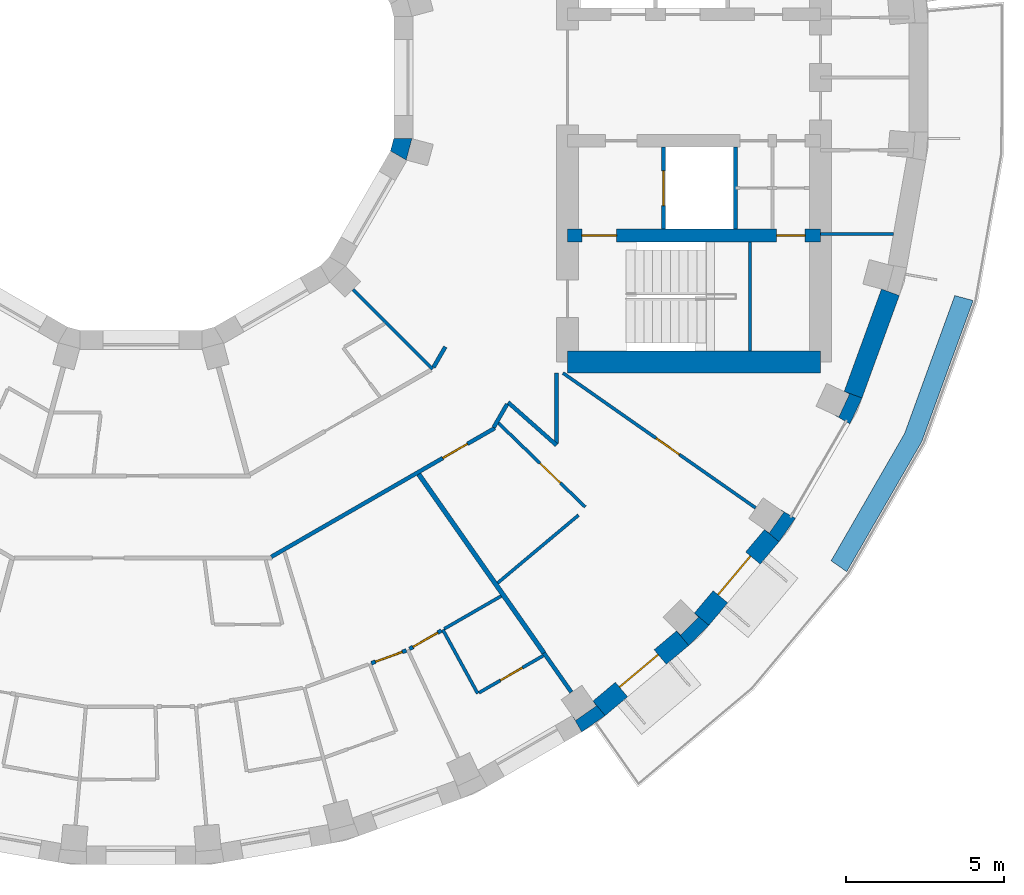
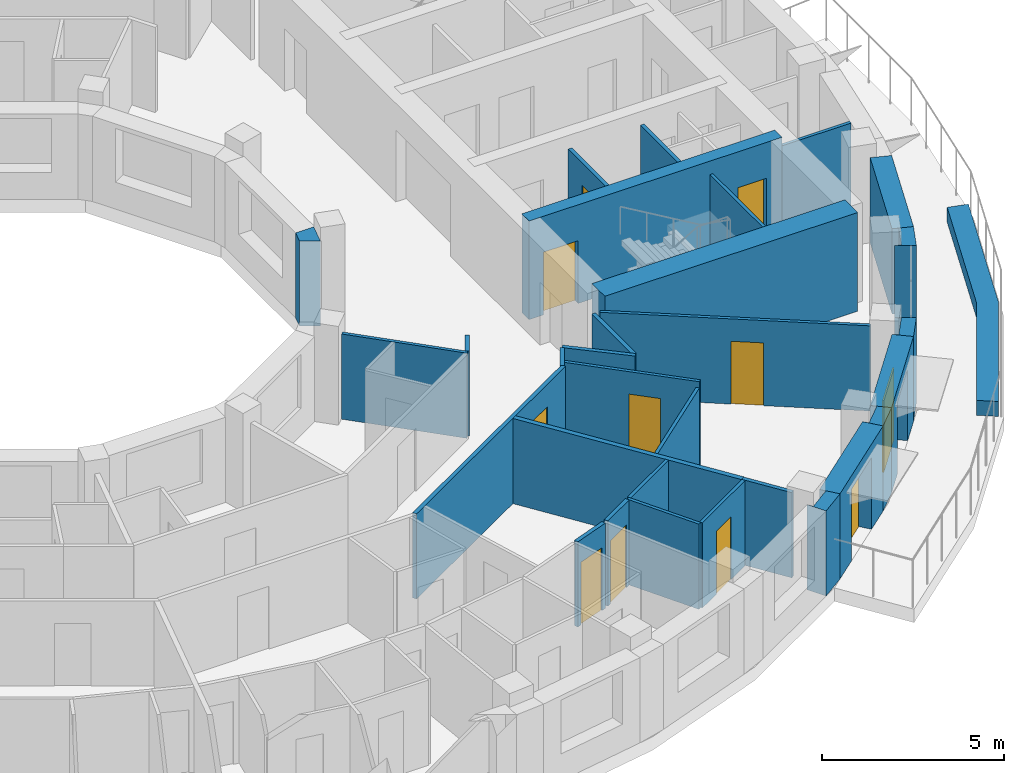
# One storey, part 8 of 14: 31 walls, 11 doors, 11 openings.
"""IFC4 building model written with IfcOpenShell, lengths in metres."""

from ifc_helpers import new_model, si_unit, direction, frame, frame_2d, origin, place, context, subcontext, project, spatial, polyline, rectangle, outline, extrude, material, layer, layer_set, type_object, element, fill, save


model = new_model("IFC4")

# Units and contexts
model_context = context("Model", 3, precision=1e-05, world=origin(), true_north=direction((0.0, 1.0)))
body_context = subcontext(model_context, "Body", "Model", "MODEL_VIEW")
ifc_project = project(units=[si_unit("LENGTHUNIT", "METRE"), si_unit("AREAUNIT", "SQUARE_METRE"), si_unit("VOLUMEUNIT", "CUBIC_METRE"), si_unit("PLANEANGLEUNIT", "RADIAN"), si_unit("MASSUNIT", "GRAM", prefix="KILO")], contexts=[model_context])

# Site, building, storey
site_placement = place(None, origin())
site = spatial("IfcSite", under=ifc_project, at=site_placement, CompositionType="ELEMENT")
building_placement = place(site_placement, origin())
building = spatial("IfcBuilding", under=site, at=building_placement, Name="Saqina Gate Tower", CompositionType="ELEMENT")
storey_placement = place(building_placement, frame((0.0, 0.0, 177.300048828125)))
storey = spatial("IfcBuildingStorey", under=building, at=storey_placement, Name="L50", CompositionType="ELEMENT", Elevation=177.300048828125)

# Walls
ifc_material_1 = material(Name="Brick masonry (buff)", Category="masonry")
wall_type_1 = type_object("IfcWallType", Name="BRICK PIER COPING BUFF", PredefinedType="SOLIDWALL", material=ifc_material_1)
wall_1_placement = place(storey_placement, origin())
element("IfcWall", 1, at=wall_1_placement, inside=storey, type_object=wall_type_1, Name="Pier cap L50 column 31", PredefinedType="SOLIDWALL", context=body_context, shape_type="SweptSolid", body=[
    extrude(outline(polyline([(13.9462890625, -20.705810546875), (14.687255859375, -20.18701171875), (14.301513671875, -19.727294921875), (14.408935546875, -19.880859375), (13.753662109375, -20.339599609375), (13.646240234375, -20.186279296875), (13.9462890625, -20.705810546875)])), origin(), (0.0, 0.0, 1.0), 2.849853515625),
])
wall_2_placement = place(storey_placement, origin())
element("IfcWall", 2, at=wall_2_placement, inside=storey, type_object=wall_type_1, Name="Pier cap L50 column 32", PredefinedType="SOLIDWALL", context=body_context, shape_type="SweptSolid", body=[
    extrude(outline(polyline([(17.969482421875, -17.329833984375), (17.510009765625, -16.944091796875), (17.642333984375, -17.07666015625), (17.07666015625, -17.642333984375), (16.944091796875, -17.510009765625), (17.329833984375, -17.969482421875), (17.969482421875, -17.329833984375)])), origin(), (0.0, 0.0, 1.0), 2.849853515625),
])
wall_3_placement = place(storey_placement, origin())
element("IfcWall", 3, at=wall_3_placement, inside=storey, type_object=wall_type_1, Name="Pier cap L50 column 33", PredefinedType="SOLIDWALL", context=body_context, shape_type="SweptSolid", body=[
    extrude(outline(polyline([(20.18701171875, -14.687255859375), (20.705810546875, -13.9462890625), (20.186279296875, -13.646240234375), (20.339599609375, -13.753662109375), (19.880859375, -14.408935546875), (19.727294921875, -14.301513671875), (20.18701171875, -14.687255859375)])), origin(), (0.0, 0.0, 1.0), 2.849853515625),
])
wall_4_placement = place(storey_placement, origin())
element("IfcWall", 4, at=wall_4_placement, inside=storey, type_object=wall_type_1, Name="Pier cap L50 column 34", PredefinedType="SOLIDWALL", context=body_context, shape_type="SweptSolid", body=[
    extrude(outline(polyline([(22.81298828125, -10.138916015625), (22.249267578125, -9.93359375), (22.4189453125, -10.0126953125), (22.080810546875, -10.73779296875), (21.9111328125, -10.65869140625), (22.4306640625, -10.958740234375), (22.81298828125, -10.138916015625)])), origin(), (0.0, 0.0, 1.0), 2.849853515625),
])
ifc_material_2 = material(Name="Gypsum board on steel studs", Category="steel")
ifc_layer_1 = layer(ifc_material_2, 0.10009765625)
ifc_layer_set_1 = layer_set([ifc_layer_1], Name="CORE PARTITION")
wall_type_2 = type_object("IfcWallType", Name="CORE PARTITION", PredefinedType="PARTITIONING", material=ifc_layer_set_1)
wall_5_placement = place(storey_placement, frame((21.5, -4.949951171875, 0.0), z_axis=(0.0, 0.0, 1.0), x_axis=(1.0, 0.0, 0.0)))
element("IfcWall", 5, at=wall_5_placement, inside=storey, type_object=wall_type_2, Name="L50-CP-E03", PredefinedType="PARTITIONING", context=body_context, shape_type="SweptSolid", body=[
    extrude(rectangle(XDim=2.306884765625, YDim=0.10009765625, at=frame_2d((1.1533203125, 0.0))), origin(), (0.0, 0.0, 1.0), 2.849853515625),
])

# Wall, opening, door
ifc_material_3 = material(Name="Brick masonry (buff)", Category="masonry")
ifc_layer_2 = layer(ifc_material_3, 0.60009765625)
ifc_layer_set_2 = layer_set([ifc_layer_2], Name="FW-BRICK-BUFF")
wall_type_3 = type_object("IfcWallType", Name="FW-BRICK-BUFF", PredefinedType="SOLIDWALL", material=ifc_layer_set_2)
wall_6_placement = place(storey_placement, frame((14.494384765625, -19.95703125, 0.0), z_axis=(0.0, 0.0, 1.0), x_axis=(0.766058884809, 0.642770398358, 0.0)))
wall_6 = element("IfcWall", 6, at=wall_6_placement, inside=storey, type_object=wall_type_3, Name="Facade wall L50 facet 31", PredefinedType="SOLIDWALL", context=body_context, shape_type="SweptSolid", body=[
    extrude(rectangle(XDim=3.449462890625, YDim=0.60009765625, at=frame_2d((1.724609375, 0.0))), origin(), (0.0, 0.0, 1.0), 2.849853515625),
])
opening_1_placement = place(wall_6_placement, frame((0.9248046875, 0.0, 0.0)))
opening_1 = element("IfcOpeningElement", 7, at=opening_1_placement, cuts=wall_6, Name="Opening G14-D80", PredefinedType="OPENING", context=body_context, shape_type="SweptSolid", body=[
    extrude(rectangle(XDim=1.60009765625, YDim=2.39990234375, at=frame_2d((0.800048828125, 1.199951171875))), frame((0.0, 0.31201171875, 0.0), z_axis=(0.0, -1.0, 0.0), x_axis=(1.0, 0.0, 0.0)), (0.0, 0.0, 1.0), 0.6240234375),
])
ifc_material_4 = material(Name="Aluminium glazing", Category="aluminium")
door_type_1 = type_object("IfcDoorType", Name="GD-C", OperationType="DOUBLE_DOOR_SINGLE_SWING", PredefinedType="DOOR", material=ifc_material_4)
door_1_placement = place(opening_1_placement, frame((1.60009765625, 0.0, 0.0), z_axis=(0.0, 0.0, 1.0), x_axis=(-1.0, 0.0, 0.0)))
door_1 = element("IfcDoor", 8, at=door_1_placement, inside=storey, type_object=door_type_1, Name="Terrace door L50 facet 31", OperationType="DOUBLE_DOOR_SINGLE_SWING", OverallHeight=2.39990234375, OverallWidth=1.60009765625, PredefinedType="DOOR", context=body_context, shape_type="SweptSolid", body=[
    extrude(rectangle(XDim=1.60009765625, YDim=2.39990234375, at=frame_2d((0.800048828125, 1.199951171875))), frame((0.0, -0.0751953125, 0.0), z_axis=(0.0, -1.0, 0.0), x_axis=(1.0, 0.0, 0.0)), (0.0, 0.0, 1.0), 0.050048828125),
])
fill(opening_1, door_1)

wall_7_placement = place(storey_placement, frame((17.73974609375, -17.136962890625, 0.0), z_axis=(0.0, 0.0, 1.0), x_axis=(0.642770398358, 0.766058884809, 0.0)))
wall_7 = element("IfcWall", 9, at=wall_7_placement, inside=storey, type_object=wall_type_3, Name="Facade wall L50 facet 32", PredefinedType="SOLIDWALL", context=body_context, shape_type="SweptSolid", body=[
    extrude(rectangle(XDim=3.449462890625, YDim=0.60009765625, at=frame_2d((1.724609375, 0.0))), origin(), (0.0, 0.0, 1.0), 2.849853515625),
])
opening_2_placement = place(wall_7_placement, frame((0.9248046875, 0.0, 0.0)))
opening_2 = element("IfcOpeningElement", 10, at=opening_2_placement, cuts=wall_7, Name="Opening G14-D81", PredefinedType="OPENING", context=body_context, shape_type="SweptSolid", body=[
    extrude(rectangle(XDim=1.60009765625, YDim=2.39990234375, at=frame_2d((0.800048828125, 1.199951171875))), frame((0.0, 0.31201171875, 0.0), z_axis=(0.0, -1.0, 0.0), x_axis=(1.0, 0.0, 0.0)), (0.0, 0.0, 1.0), 0.6240234375),
])
door_2_placement = place(opening_2_placement, frame((1.60009765625, 0.0, 0.0), z_axis=(0.0, 0.0, 1.0), x_axis=(-1.0, 0.0, 0.0)))
door_2 = element("IfcDoor", 11, at=door_2_placement, inside=storey, type_object=door_type_1, Name="Terrace door L50 facet 32", OperationType="DOUBLE_DOOR_SINGLE_SWING", OverallHeight=2.39990234375, OverallWidth=1.60009765625, PredefinedType="DOOR", context=body_context, shape_type="SweptSolid", body=[
    extrude(rectangle(XDim=1.60009765625, YDim=2.39990234375, at=frame_2d((0.800048828125, 1.199951171875))), frame((0.0, -0.0751953125, 0.0), z_axis=(0.0, -1.0, 0.0), x_axis=(1.0, 0.0, 0.0)), (0.0, 0.0, 1.0), 0.050048828125),
])
fill(opening_2, door_2)

# Walls
ifc_material_5 = material(Name="Glazed ceramic tile (white)", Category="ceramic")
ifc_layer_3 = layer(ifc_material_5, 0.60009765625)
ifc_layer_set_3 = layer_set([ifc_layer_3], Name="FW-TILE-WH")
wall_type_4 = type_object("IfcWallType", Name="FW-TILE-WH", PredefinedType="SOLIDWALL", material=ifc_layer_set_3)
wall_8_placement = place(storey_placement, frame((22.531005859375, -10.0361328125, 0.0), z_axis=(0.0, 0.0, 1.0), x_axis=(0.342032843455, 0.93968799822, 0.0)))
element("IfcWall", 12, at=wall_8_placement, inside=storey, type_object=wall_type_4, Name="Facade wall L50 facet 34", PredefinedType="SOLIDWALL", context=body_context, shape_type="SweptSolid", body=[
    extrude(rectangle(XDim=3.44970703125, YDim=0.60009765625, at=frame_2d((1.724853515625, 0.0))), origin(), (0.0, 0.0, 1.0), 2.849853515625),
])
ifc_material_6 = material(Name="Gypsum board on steel studs, 100 mm", Category="steel")
ifc_layer_4 = layer(ifc_material_6, 0.10009765625)
ifc_layer_set_4 = layer_set([ifc_layer_4], Name="PARTITION 100")
wall_type_5 = type_object("IfcWallType", Name="PARTITION 100", PredefinedType="PARTITIONING", material=ifc_layer_set_4)
wall_9_placement = place(storey_placement, frame((9.551025390625, -17.469970703125, 0.0), z_axis=(0.0, 0.0, 1.0), x_axis=(0.479937439817, -0.877302715066, 0.0)))
element("IfcWall", 13, at=wall_9_placement, inside=storey, type_object=wall_type_5, Name="PARTITION PW3-19", PredefinedType="PARTITIONING", context=body_context, shape_type="SweptSolid", body=[
    extrude(rectangle(XDim=2.30029296875, YDim=0.10009765625, at=frame_2d((1.150146484375, 0.0))), origin(), (0.0, 0.0, 1.0), 2.849853515625),
])
wall_10_placement = place(storey_placement, frame((6.7119140625, -6.7119140625, 0.0), z_axis=(0.0, 0.0, 1.0), x_axis=(0.707106781187, -0.707106781187, 0.0)))
element("IfcWall", 14, at=wall_10_placement, inside=storey, type_object=wall_type_5, Name="PARTITION PW3-26", PredefinedType="PARTITIONING", context=body_context, shape_type="SweptSolid", body=[
    extrude(rectangle(XDim=3.552734375, YDim=0.10009765625, at=frame_2d((1.7763671875, 0.0))), origin(), (0.0, 0.0, 1.0), 2.849853515625),
])

# Wall, opening, door
wall_11_placement = place(storey_placement, frame((11.309814453125, -10.931396484375, 0.0), z_axis=(0.0, 0.0, 1.0), x_axis=(0.718976677459, -0.695034198634, 0.0)))
wall_11 = element("IfcWall", 15, at=wall_11_placement, inside=storey, type_object=wall_type_5, Name="PARTITION PW3-27", PredefinedType="PARTITIONING", context=body_context, shape_type="SweptSolid", body=[
    extrude(rectangle(XDim=3.823974609375, YDim=0.10009765625, at=frame_2d((1.912109375, 0.0))), origin(), (0.0, 0.0, 1.0), 2.849853515625),
])
opening_3_placement = place(wall_11_placement, frame((1.83056640625, 0.0, 0.0)))
opening_3 = element("IfcOpeningElement", 16, at=opening_3_placement, cuts=wall_11, Name="Opening G14-D62", PredefinedType="OPENING", context=body_context, shape_type="SweptSolid", body=[
    extrude(rectangle(XDim=0.89990234375, YDim=2.10009765625, at=frame_2d((0.449951171875, 1.050048828125))), frame((0.0, 0.06201171875, 0.0), z_axis=(0.0, -1.0, 0.0), x_axis=(1.0, 0.0, 0.0)), (0.0, 0.0, 1.0), 0.1240234375),
])
ifc_material_7 = material(Name="Timber door leaf, 900 mm", Category="wood")
door_type_2 = type_object("IfcDoorType", Name="DOOR 900 TIMBER", OperationType="SINGLE_SWING_LEFT", PredefinedType="DOOR", material=ifc_material_7)
door_3_placement = place(opening_3_placement, origin())
door_3 = element("IfcDoor", 17, at=door_3_placement, inside=storey, type_object=door_type_2, Name="DOOR G14-D62", OperationType="SINGLE_SWING_LEFT", OverallHeight=2.10009765625, OverallWidth=0.89990234375, PredefinedType="DOOR", context=body_context, shape_type="SweptSolid", body=[
    extrude(rectangle(XDim=0.89990234375, YDim=2.10009765625, at=frame_2d((0.449951171875, 1.050048828125))), frame((0.0, 0.02490234375, 0.0), z_axis=(0.0, -1.0, 0.0), x_axis=(1.0, 0.0, 0.0)), (0.0, 0.0, 1.0), 0.050048828125),
])
fill(opening_3, door_3)

wall_12_placement = place(storey_placement, frame((13.35302734375, -9.35009765625, 0.0), z_axis=(0.0, 0.0, 1.0), x_axis=(0.81917024189, -0.573550446606, 0.0)))
wall_12 = element("IfcWall", 18, at=wall_12_placement, inside=storey, type_object=wall_type_5, Name="PARTITION PW3-33", PredefinedType="PARTITIONING", context=body_context, shape_type="SweptSolid", body=[
    extrude(rectangle(XDim=7.43896484375, YDim=0.10009765625, at=frame_2d((3.719482421875, 0.0))), origin(), (0.0, 0.0, 1.0), 2.849853515625),
])
opening_4_placement = place(wall_12_placement, frame((3.59814453125, 0.0, 0.0)))
opening_4 = element("IfcOpeningElement", 19, at=opening_4_placement, cuts=wall_12, Name="Opening G14-D63", PredefinedType="OPENING", context=body_context, shape_type="SweptSolid", body=[
    extrude(rectangle(XDim=0.89990234375, YDim=2.10009765625, at=frame_2d((0.449951171875, 1.050048828125))), frame((0.0, 0.06201171875, 0.0), z_axis=(0.0, -1.0, 0.0), x_axis=(1.0, 0.0, 0.0)), (0.0, 0.0, 1.0), 0.1240234375),
])
door_4_placement = place(opening_4_placement, frame((0.89990234375, 0.0, 0.0), z_axis=(0.0, 0.0, 1.0), x_axis=(-1.0, 0.0, 0.0)))
door_4 = element("IfcDoor", 20, at=door_4_placement, inside=storey, type_object=door_type_2, Name="DOOR G14-D63", OperationType="SINGLE_SWING_LEFT", OverallHeight=2.10009765625, OverallWidth=0.89990234375, PredefinedType="DOOR", context=body_context, shape_type="SweptSolid", body=[
    extrude(rectangle(XDim=0.89990234375, YDim=2.10009765625, at=frame_2d((0.449951171875, 1.050048828125))), frame((0.0, 0.02490234375, 0.0), z_axis=(0.0, -1.0, 0.0), x_axis=(1.0, 0.0, 0.0)), (0.0, 0.0, 1.0), 0.050048828125),
])
fill(opening_4, door_4)

# Wall
wall_13_placement = place(storey_placement, frame((9.59375, -17.444091796875, 0.0), z_axis=(0.0, 0.0, 1.0), x_axis=(0.866570174263, 0.499055240507, 0.0)))
element("IfcWall", 21, at=wall_13_placement, inside=storey, type_object=wall_type_5, Name="PARTITION PW3-68", PredefinedType="PARTITIONING", context=body_context, shape_type="SweptSolid", body=[
    extrude(rectangle(XDim=2.08056640625, YDim=0.10009765625, at=frame_2d((1.040283203125, 0.0))), origin(), (0.0, 0.0, 1.0), 2.849853515625),
])

# Wall, opening, door
wall_14_placement = place(storey_placement, frame((10.6982421875, -19.462890625, 0.0), z_axis=(0.0, 0.0, 1.0), x_axis=(0.866206369469, 0.499686427163, 0.0)))
wall_14 = element("IfcWall", 22, at=wall_14_placement, inside=storey, type_object=wall_type_5, Name="PARTITION PW3-69", PredefinedType="PARTITIONING", context=body_context, shape_type="SweptSolid", body=[
    extrude(rectangle(XDim=2.3466796875, YDim=0.10009765625, at=frame_2d((1.17333984375, 0.0))), origin(), (0.0, 0.0, 1.0), 2.849853515625),
])
opening_5_placement = place(wall_14_placement, frame((0.779541015625, 0.0, 0.0)))
opening_5 = element("IfcOpeningElement", 23, at=opening_5_placement, cuts=wall_14, Name="Opening G14-D59", PredefinedType="OPENING", context=body_context, shape_type="SweptSolid", body=[
    extrude(rectangle(XDim=0.800048828125, YDim=2.10009765625, at=frame_2d((0.39990234375, 1.050048828125))), frame((0.0, 0.06201171875, 0.0), z_axis=(0.0, -1.0, 0.0), x_axis=(1.0, 0.0, 0.0)), (0.0, 0.0, 1.0), 0.1240234375),
])
ifc_material_8 = material(Name="Timber door leaf, 800 mm", Category="wood")
door_type_3 = type_object("IfcDoorType", Name="DOOR 800 TIMBER", OperationType="SINGLE_SWING_LEFT", PredefinedType="DOOR", material=ifc_material_8)
door_5_placement = place(opening_5_placement, frame((0.800048828125, 0.0, 0.0), z_axis=(0.0, 0.0, 1.0), x_axis=(-1.0, 0.0, 0.0)))
door_5 = element("IfcDoor", 24, at=door_5_placement, inside=storey, type_object=door_type_3, Name="DOOR G14-D59", OperationType="SINGLE_SWING_LEFT", OverallHeight=2.10009765625, OverallWidth=0.800048828125, PredefinedType="DOOR", context=body_context, shape_type="SweptSolid", body=[
    extrude(rectangle(XDim=0.800048828125, YDim=2.10009765625, at=frame_2d((0.39990234375, 1.050048828125))), frame((0.0, 0.02490234375, 0.0), z_axis=(0.0, -1.0, 0.0), x_axis=(1.0, 0.0, 0.0)), (0.0, 0.0, 1.0), 0.050048828125),
])
fill(opening_5, door_5)

# Walls
wall_15_placement = place(storey_placement, frame((11.287841796875, -15.990234375, 0.0), z_axis=(0.0, 0.0, 1.0), x_axis=(0.766106730911, 0.642713370681, 0.0)))
element("IfcWall", 25, at=wall_15_placement, inside=storey, type_object=wall_type_5, Name="PARTITION PW3-76", PredefinedType="PARTITIONING", context=body_context, shape_type="SweptSolid", body=[
    extrude(rectangle(XDim=3.337890625, YDim=0.10009765625, at=frame_2d((1.6689453125, 0.0))), origin(), (0.0, 0.0, 1.0), 2.849853515625),
])
ifc_material_9 = material(Name="Gypsum board on steel studs, 125 mm, fire rated", Category="steel")
ifc_layer_5 = layer(ifc_material_9, 0.125)
ifc_layer_set_5 = layer_set([ifc_layer_5], Name="PARTITION EI 30 125")
wall_type_6 = type_object("IfcWallType", Name="PARTITION EI 30 125", PredefinedType="PARTITIONING", material=ifc_layer_set_5)
wall_16_placement = place(storey_placement, frame((12.749267578125, -18.207763671875, 0.0), z_axis=(0.0, 0.0, 1.0), x_axis=(0.57406892907, -0.818806976446, 0.0)))
element("IfcWall", 26, at=wall_16_placement, inside=storey, type_object=wall_type_6, Name="PARTITION PW1-07", PredefinedType="PARTITIONING", context=body_context, shape_type="SweptSolid", body=[
    extrude(rectangle(XDim=1.51220703125, YDim=0.125, at=frame_2d((0.756103515625, 0.0))), origin(), (0.0, 0.0, 1.0), 2.849853515625),
])
wall_17_placement = place(storey_placement, frame((11.616943359375, -10.278076171875, 0.0), z_axis=(0.0, 0.0, 1.0), x_axis=(0.74902616167, -0.662540420754, 0.0)))
element("IfcWall", 27, at=wall_17_placement, inside=storey, type_object=wall_type_6, Name="PARTITION PW1-12", PredefinedType="PARTITIONING", context=body_context, shape_type="SweptSolid", body=[
    extrude(rectangle(XDim=2.046630859375, YDim=0.125, at=frame_2d((1.0234375, 0.0))), origin(), (0.0, 0.0, 1.0), 2.849853515625),
])

# Wall, opening, door
wall_18_placement = place(storey_placement, frame((7.2900390625, -18.529296875, 0.0), z_axis=(0.0, 0.0, 1.0), x_axis=(0.939642058785, 0.342159029346, 0.0)))
wall_18 = element("IfcWall", 28, at=wall_18_placement, inside=storey, type_object=wall_type_6, Name="PARTITION PW1-34", PredefinedType="PARTITIONING", context=body_context, shape_type="SweptSolid", body=[
    extrude(rectangle(XDim=1.177978515625, YDim=0.125, at=frame_2d((0.5888671875, 0.0))), origin(), (0.0, 0.0, 1.0), 2.849853515625),
])
opening_6_placement = place(wall_18_placement, frame((0.138916015625, 0.0, 0.0)))
opening_6 = element("IfcOpeningElement", 29, at=opening_6_placement, cuts=wall_18, Name="Opening G14-D56", PredefinedType="OPENING", context=body_context, shape_type="SweptSolid", body=[
    extrude(rectangle(XDim=0.89990234375, YDim=2.10009765625, at=frame_2d((0.449951171875, 1.050048828125))), frame((0.0, 0.074462890625, 0.0), z_axis=(0.0, -1.0, 0.0), x_axis=(1.0, 0.0, 0.0)), (0.0, 0.0, 1.0), 0.14892578125),
])
ifc_material_10 = material(Name="Fire door leaf EI 30, 900 mm")
door_type_4 = type_object("IfcDoorType", Name="DOOR 900 EI 30", OperationType="SINGLE_SWING_LEFT", PredefinedType="DOOR", material=ifc_material_10)
door_6_placement = place(opening_6_placement, origin())
door_6 = element("IfcDoor", 30, at=door_6_placement, inside=storey, type_object=door_type_4, Name="DOOR G14-D56", OperationType="SINGLE_SWING_RIGHT", OverallHeight=2.10009765625, OverallWidth=0.89990234375, PredefinedType="DOOR", context=body_context, shape_type="SweptSolid", body=[
    extrude(rectangle(XDim=0.89990234375, YDim=2.10009765625, at=frame_2d((0.449951171875, 1.050048828125))), frame((0.0, 0.02490234375, 0.0), z_axis=(0.0, -1.0, 0.0), x_axis=(1.0, 0.0, 0.0)), (0.0, 0.0, 1.0), 0.050048828125),
])
fill(opening_6, door_6)

wall_19_placement = place(storey_placement, frame((4.124755859375, -15.16455078125, 0.0), z_axis=(0.0, 0.0, 1.0), x_axis=(0.86652321779, 0.49913676786, 0.0)))
wall_19 = element("IfcWall", 31, at=wall_19_placement, inside=storey, type_object=wall_type_6, Name="PARTITION PW1-36", PredefinedType="PARTITIONING", context=body_context, shape_type="SweptSolid", body=[
    extrude(rectangle(XDim=8.1572265625, YDim=0.125, at=frame_2d((4.07861328125, 0.0))), origin(), (0.0, 0.0, 1.0), 2.849853515625),
])
opening_7_placement = place(wall_19_placement, frame((6.261474609375, 0.0, 0.0)))
opening_7 = element("IfcOpeningElement", 32, at=opening_7_placement, cuts=wall_19, Name="Opening G14-D61", PredefinedType="OPENING", context=body_context, shape_type="SweptSolid", body=[
    extrude(rectangle(XDim=0.89990234375, YDim=2.10009765625, at=frame_2d((0.449951171875, 1.050048828125))), frame((0.0, 0.074462890625, 0.0), z_axis=(0.0, -1.0, 0.0), x_axis=(1.0, 0.0, 0.0)), (0.0, 0.0, 1.0), 0.14892578125),
])
door_7_placement = place(opening_7_placement, frame((0.89990234375, 0.0, 0.0), z_axis=(0.0, 0.0, 1.0), x_axis=(-1.0, 0.0, 0.0)))
door_7 = element("IfcDoor", 33, at=door_7_placement, inside=storey, type_object=door_type_4, Name="DOOR G14-D61", OperationType="SINGLE_SWING_LEFT", OverallHeight=2.10009765625, OverallWidth=0.89990234375, PredefinedType="DOOR", context=body_context, shape_type="SweptSolid", body=[
    extrude(rectangle(XDim=0.89990234375, YDim=2.10009765625, at=frame_2d((0.449951171875, 1.050048828125))), frame((0.0, 0.02490234375, 0.0), z_axis=(0.0, -1.0, 0.0), x_axis=(1.0, 0.0, 0.0)), (0.0, 0.0, 1.0), 0.050048828125),
])
fill(opening_7, door_7)

wall_20_placement = place(storey_placement, frame((8.498046875, -18.07763671875, 0.0), z_axis=(0.0, 0.0, 1.0), x_axis=(0.866199532168, 0.499698279437, 0.0)))
wall_20 = element("IfcWall", 34, at=wall_20_placement, inside=storey, type_object=wall_type_6, Name="PARTITION PW1-37", PredefinedType="PARTITIONING", context=body_context, shape_type="SweptSolid", body=[
    extrude(rectangle(XDim=1.165771484375, YDim=0.125, at=frame_2d((0.5830078125, 0.0))), origin(), (0.0, 0.0, 1.0), 2.849853515625),
])
opening_8_placement = place(wall_20_placement, frame((0.126708984375, 0.0, 0.0)))
opening_8 = element("IfcOpeningElement", 35, at=opening_8_placement, cuts=wall_20, Name="Opening G14-D57", PredefinedType="OPENING", context=body_context, shape_type="SweptSolid", body=[
    extrude(rectangle(XDim=0.89990234375, YDim=2.10009765625, at=frame_2d((0.449951171875, 1.050048828125))), frame((0.0, 0.074462890625, 0.0), z_axis=(0.0, -1.0, 0.0), x_axis=(1.0, 0.0, 0.0)), (0.0, 0.0, 1.0), 0.14892578125),
])
door_8_placement = place(opening_8_placement, origin())
door_8 = element("IfcDoor", 36, at=door_8_placement, inside=storey, type_object=door_type_4, Name="DOOR G14-D57", OperationType="SINGLE_SWING_LEFT", OverallHeight=2.10009765625, OverallWidth=0.89990234375, PredefinedType="DOOR", context=body_context, shape_type="SweptSolid", body=[
    extrude(rectangle(XDim=0.89990234375, YDim=2.10009765625, at=frame_2d((0.449951171875, 1.050048828125))), frame((0.0, 0.02490234375, 0.0), z_axis=(0.0, -1.0, 0.0), x_axis=(1.0, 0.0, 0.0)), (0.0, 0.0, 1.0), 0.050048828125),
])
fill(opening_8, door_8)

# Walls
wall_21_placement = place(storey_placement, frame((11.158203125, -11.07275390625, 0.0), z_axis=(0.0, 0.0, 1.0), x_axis=(0.499854250852, 0.866109535743, 0.0)))
element("IfcWall", 37, at=wall_21_placement, inside=storey, type_object=wall_type_6, Name="PARTITION PW1-45", PredefinedType="PARTITIONING", context=body_context, shape_type="SweptSolid", body=[
    extrude(rectangle(XDim=0.855224609375, YDim=0.125, at=frame_2d((0.427734375, 0.0))), origin(), (0.0, 0.0, 1.0), 2.849853515625),
])
wall_22_placement = place(storey_placement, frame((9.255126953125, -9.169921875, 0.0), z_axis=(0.0, 0.0, 1.0), x_axis=(0.499534624366, 0.866293921865, 0.0)))
element("IfcWall", 38, at=wall_22_placement, inside=storey, type_object=wall_type_6, Name="PARTITION PW1-46", PredefinedType="PARTITIONING", context=body_context, shape_type="SweptSolid", body=[
    extrude(rectangle(XDim=0.750244140625, YDim=0.125, at=frame_2d((0.375, 0.0))), origin(), (0.0, 0.0, 1.0), 2.849853515625),
])
wall_23_placement = place(storey_placement, frame((13.14990234375, -11.571533203125, 0.0), z_axis=(0.0, 0.0, 1.0), x_axis=(0.0, 1.0, 0.0)))
element("IfcWall", 39, at=wall_23_placement, inside=storey, type_object=wall_type_6, Name="PARTITION PW1-49", PredefinedType="PARTITIONING", context=body_context, shape_type="SweptSolid", body=[
    extrude(rectangle(XDim=2.221435546875, YDim=0.125, at=frame_2d((1.11083984375, 0.0))), origin(), (0.0, 0.0, 1.0), 2.849853515625),
])
ifc_material_11 = material(Name="Gypsum board on steel studs, 150 mm, fire rated", Category="steel")
ifc_layer_6 = layer(ifc_material_11, 0.14990234375)
ifc_layer_set_6 = layer_set([ifc_layer_6], Name="PARTITION EI 60 150")
wall_type_7 = type_object("IfcWallType", Name="PARTITION EI 60 150", PredefinedType="PARTITIONING", material=ifc_layer_set_6)
wall_24_placement = place(storey_placement, frame((8.787841796875, -12.55029296875, 0.0), z_axis=(0.0, 0.0, 1.0), x_axis=(0.573514537479, -0.819195382861, 0.0)))
element("IfcWall", 40, at=wall_24_placement, inside=storey, type_object=wall_type_7, Name="PARTITION PW2-04", PredefinedType="PARTITIONING", context=body_context, shape_type="SweptSolid", body=[
    extrude(rectangle(XDim=6.906494140625, YDim=0.14990234375, at=frame_2d((3.453125, 0.0))), origin(), (0.0, 0.0, 1.0), 2.849853515625),
])
ifc_material_12 = material(Name="Brick masonry (red)", Category="masonry")
ifc_layer_7 = layer(ifc_material_12, 0.60009765625)
ifc_layer_set_7 = layer_set([ifc_layer_7], Name="PL-PLANTER")
wall_type_8 = type_object("IfcWallType", Name="PL-PLANTER", PredefinedType="PARAPET", material=ifc_layer_set_7)
wall_25_placement = place(storey_placement, origin())
element("IfcWall", 41, at=wall_25_placement, inside=storey, type_object=wall_type_8, Name="Planter L50", PredefinedType="PARAPET", context=body_context, shape_type="SweptSolid", body=[
    extrude(outline(polyline([(22.328857421875, -15.635009765625), (24.70458984375, -11.52001953125), (26.329833984375, -7.054931640625), (25.748046875, -6.899169921875), (24.15869140625, -11.265380859375), (21.835693359375, -15.289306640625), (22.328857421875, -15.635009765625)])), origin(), (0.0, 0.0, 1.0), 0.5),
])

# Wall, opening, door
ifc_material_13 = material(Name="Autoclaved aerated concrete block", Category="concrete")
ifc_layer_8 = layer(ifc_material_13, 0.1201171875)
ifc_layer_set_8 = layer_set([ifc_layer_8], Name="SHAFT PARTITION")
wall_type_9 = type_object("IfcWallType", Name="SHAFT PARTITION", PredefinedType="PARTITIONING", material=ifc_layer_set_8)
wall_26_placement = place(storey_placement, frame((16.530029296875, -4.800048828125, 0.0), z_axis=(0.0, 0.0, 1.0), x_axis=(0.0, 1.0, 0.0)))
wall_26 = element("IfcWall", 42, at=wall_26_placement, inside=storey, type_object=wall_type_9, Name="L50-CP-E08", PredefinedType="PARTITIONING", context=body_context, shape_type="SweptSolid", body=[
    extrude(rectangle(XDim=2.60009765625, YDim=0.1201171875, at=frame_2d((1.300048828125, 0.0))), origin(), (0.0, 0.0, 1.0), 2.849853515625),
])
opening_9_placement = place(wall_26_placement, frame((0.75, 0.0, 0.0)))
opening_9 = element("IfcOpeningElement", 43, at=opening_9_placement, cuts=wall_26, Name="Opening G14-LD3", PredefinedType="OPENING", context=body_context, shape_type="SweptSolid", body=[
    extrude(rectangle(XDim=1.10009765625, YDim=2.10009765625, at=frame_2d((0.550048828125, 1.050048828125))), frame((0.0, 0.072021484375, 0.0), z_axis=(0.0, -1.0, 0.0), x_axis=(1.0, 0.0, 0.0)), (0.0, 0.0, 1.0), 0.14404296875),
])
ifc_material_14 = material(Name="Stainless steel", Category="steel")
door_type_5 = type_object("IfcDoorType", Name="LANDING DOOR", OperationType="DOUBLE_DOOR_SLIDING", PredefinedType="DOOR", material=ifc_material_14)
door_9_placement = place(opening_9_placement, origin())
door_9 = element("IfcDoor", 44, at=door_9_placement, inside=storey, type_object=door_type_5, Name="LANDING DOOR FF1", OperationType="DOUBLE_DOOR_SLIDING", OverallHeight=2.10009765625, OverallWidth=1.10009765625, PredefinedType="DOOR", context=body_context, shape_type="SweptSolid", body=[
    extrude(rectangle(XDim=1.10009765625, YDim=2.10009765625, at=frame_2d((0.550048828125, 1.050048828125))), frame((0.0, 0.02490234375, 0.0), z_axis=(0.0, -1.0, 0.0), x_axis=(1.0, 0.0, 0.0)), (0.0, 0.0, 1.0), 0.050048828125),
])
fill(opening_9, door_9)

# Walls
wall_27_placement = place(storey_placement, frame((18.81005859375, -4.800048828125, 0.0), z_axis=(0.0, 0.0, 1.0), x_axis=(0.0, 1.0, 0.0)))
element("IfcWall", 45, at=wall_27_placement, inside=storey, type_object=wall_type_9, Name="L50-CP-E09", PredefinedType="PARTITIONING", context=body_context, shape_type="SweptSolid", body=[
    extrude(rectangle(XDim=2.60009765625, YDim=0.1201171875, at=frame_2d((1.300048828125, 0.0))), origin(), (0.0, 0.0, 1.0), 2.849853515625),
])
ifc_material_15 = material(Name="Autoclaved aerated concrete block", Category="concrete")
ifc_layer_9 = layer(ifc_material_15, 0.10009765625)
ifc_layer_set_9 = layer_set([ifc_layer_9], Name="STAIR ENCLOSURE WALL")
wall_type_10 = type_object("IfcWallType", Name="STAIR ENCLOSURE WALL", PredefinedType="PARTITIONING", material=ifc_layer_set_9)
wall_28_placement = place(storey_placement, frame((19.27001953125, -8.64990234375, 0.0), z_axis=(0.0, 0.0, 1.0), x_axis=(0.0, 1.0, 0.0)))
element("IfcWall", 46, at=wall_28_placement, inside=storey, type_object=wall_type_10, Name="L50-CP-E15", PredefinedType="PARTITIONING", context=body_context, shape_type="SweptSolid", body=[
    extrude(rectangle(XDim=3.449951171875, YDim=0.10009765625, at=frame_2d((1.72509765625, 0.0))), origin(), (0.0, 0.0, 1.0), 2.849853515625),
])

# Wall, openings, doors
ifc_material_16 = material(Name="Concrete C60/75", Category="concrete")
ifc_layer_10 = layer(ifc_material_16, 0.39990234375)
ifc_layer_set_10 = layer_set([ifc_layer_10], Name="Concrete C60/75")
wall_type_11 = type_object("IfcWallType", Name="STR-CORE WALL-C-I", PredefinedType="SHEAR", material=ifc_layer_set_10)
wall_29_placement = place(storey_placement, frame((13.5, -5.0, 0.0), z_axis=(0.0, 0.0, 1.0), x_axis=(1.0, 0.0, 0.0)))
wall_29 = element("IfcWall", 47, at=wall_29_placement, inside=storey, type_object=wall_type_11, Name="CORE WALL L50 E-X2", PredefinedType="SHEAR", context=body_context, shape_type="SweptSolid", body=[
    extrude(rectangle(XDim=8.0, YDim=0.39990234375, at=frame_2d((4.0, 0.0))), origin(), (0.0, 0.0, 1.0), 3.300048828125),
])
opening_10_placement = place(wall_29_placement, frame((6.614990234375, 0.0, 0.0)))
opening_10 = element("IfcOpeningElement", 48, at=opening_10_placement, cuts=wall_29, Name="Opening G14-D102", PredefinedType="OPENING", context=body_context, shape_type="SweptSolid", body=[
    extrude(rectangle(XDim=0.89990234375, YDim=2.10009765625, at=frame_2d((0.449951171875, 1.050048828125))), frame((0.0, 0.2119140625, 0.0), z_axis=(0.0, -1.0, 0.0), x_axis=(1.0, 0.0, 0.0)), (0.0, 0.0, 1.0), 0.423828125),
])
opening_11_placement = place(wall_29_placement, frame((0.449951171875, 0.0, 0.0)))
opening_11 = element("IfcOpeningElement", 49, at=opening_11_placement, cuts=wall_29, Name="Opening G14-D103", PredefinedType="OPENING", context=body_context, shape_type="SweptSolid", body=[
    extrude(rectangle(XDim=1.10009765625, YDim=2.10009765625, at=frame_2d((0.550048828125, 1.050048828125))), frame((0.0, 0.2119140625, 0.0), z_axis=(0.0, -1.0, 0.0), x_axis=(1.0, 0.0, 0.0)), (0.0, 0.0, 1.0), 0.423828125),
])
ifc_material_17 = material(Name="Steel", Category="steel")
door_type_6 = type_object("IfcDoorType", Name="FIRE LOBBY DOOR EI 60 WIDE", OperationType="SINGLE_SWING_LEFT", PredefinedType="DOOR", material=ifc_material_17)
door_10_placement = place(opening_11_placement, frame((1.10009765625, 0.0, 0.0), z_axis=(0.0, 0.0, 1.0), x_axis=(-1.0, 0.0, 0.0)))
door_10 = element("IfcDoor", 50, at=door_10_placement, inside=storey, type_object=door_type_6, Name="L50-CD-E14", OperationType="SINGLE_SWING_RIGHT", OverallHeight=2.10009765625, OverallWidth=1.10009765625, PredefinedType="DOOR", context=body_context, shape_type="SweptSolid", body=[
    extrude(rectangle(XDim=1.10009765625, YDim=2.10009765625, at=frame_2d((0.550048828125, 1.050048828125))), frame((0.0, 0.02490234375, 0.0), z_axis=(0.0, -1.0, 0.0), x_axis=(1.0, 0.0, 0.0)), (0.0, 0.0, 1.0), 0.050048828125),
])
fill(opening_11, door_10)
ifc_material_18 = material(Name="Steel-framed fire door leaf, EI 60", Category="steel")
door_type_7 = type_object("IfcDoorType", Name="SERVICE ROOM DOOR 900", OperationType="SINGLE_SWING_LEFT", PredefinedType="DOOR", material=ifc_material_18)
door_11_placement = place(opening_10_placement, frame((0.89990234375, 0.0, 0.0), z_axis=(0.0, 0.0, 1.0), x_axis=(-1.0, 0.0, 0.0)))
door_11 = element("IfcDoor", 51, at=door_11_placement, inside=storey, type_object=door_type_7, Name="L50-CD-E13", OperationType="SINGLE_SWING_LEFT", OverallHeight=2.10009765625, OverallWidth=0.89990234375, PredefinedType="DOOR", context=body_context, shape_type="SweptSolid", body=[
    extrude(rectangle(XDim=0.89990234375, YDim=2.10009765625, at=frame_2d((0.449951171875, 1.050048828125))), frame((0.0, 0.02490234375, 0.0), z_axis=(0.0, -1.0, 0.0), x_axis=(1.0, 0.0, 0.0)), (0.0, 0.0, 1.0), 0.050048828125),
])
fill(opening_10, door_11)

# Walls
ifc_material_19 = material(Name="Concrete C60/75", Category="concrete")
ifc_layer_11 = layer(ifc_material_19, 0.699951171875)
ifc_layer_set_11 = layer_set([ifc_layer_11], Name="Concrete C60/75")
wall_type_12 = type_object("IfcWallType", Name="STR-CORE WALL-C-O", PredefinedType="SHEAR", material=ifc_layer_set_11)
wall_30_placement = place(storey_placement, frame((13.5, -9.0, 0.0), z_axis=(0.0, 0.0, 1.0), x_axis=(1.0, 0.0, 0.0)))
element("IfcWall", 52, at=wall_30_placement, inside=storey, type_object=wall_type_12, Name="CORE WALL L50 E-SE", PredefinedType="SHEAR", context=body_context, shape_type="SweptSolid", body=[
    extrude(rectangle(XDim=8.0, YDim=0.699951171875, at=frame_2d((4.0, 0.0))), origin(), (0.0, 0.0, 1.0), 3.300048828125),
])
ifc_material_20 = material(Name="Glazed ceramic tile", Category="ceramic")
wall_type_13 = type_object("IfcWallType", Name="TILE PIER COPING", PredefinedType="SOLIDWALL", material=ifc_material_20)
wall_31_placement = place(storey_placement, origin())
element("IfcWall", 53, at=wall_31_placement, inside=storey, type_object=wall_type_13, Name="Well pier cap L50 column 12", PredefinedType="SOLIDWALL", context=body_context, shape_type="SweptSolid", body=[
    extrude(outline(polyline([(8.573486328125, -1.934814453125), (8.0, -1.934814453125), (7.895751953125, -2.32421875), (8.392333984375, -2.611083984375), (8.573486328125, -1.934814453125)])), origin(), (0.0, 0.0, 1.0), 2.849853515625),
])

save(model, "model.ifc")
